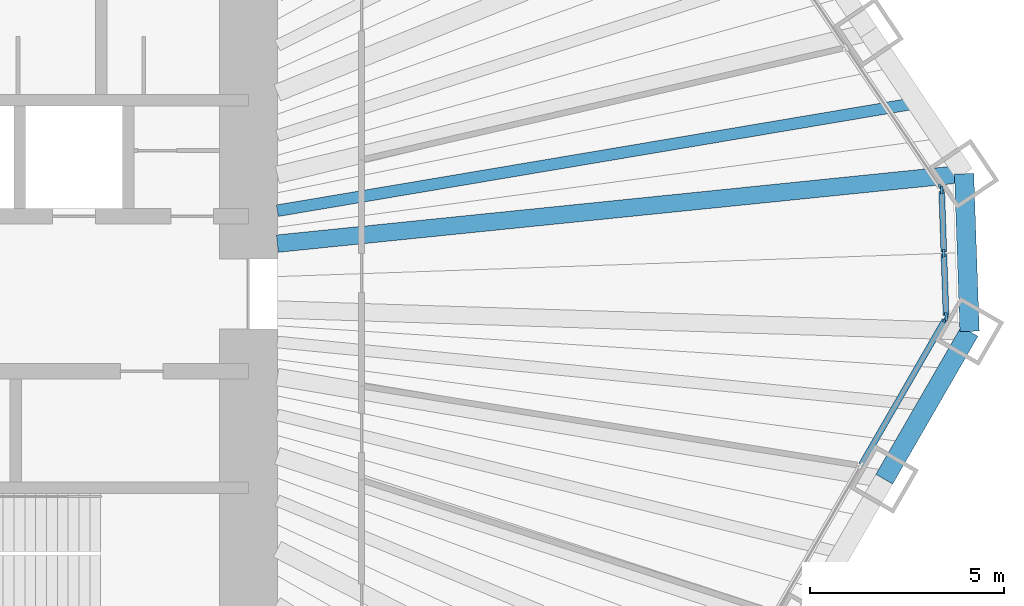
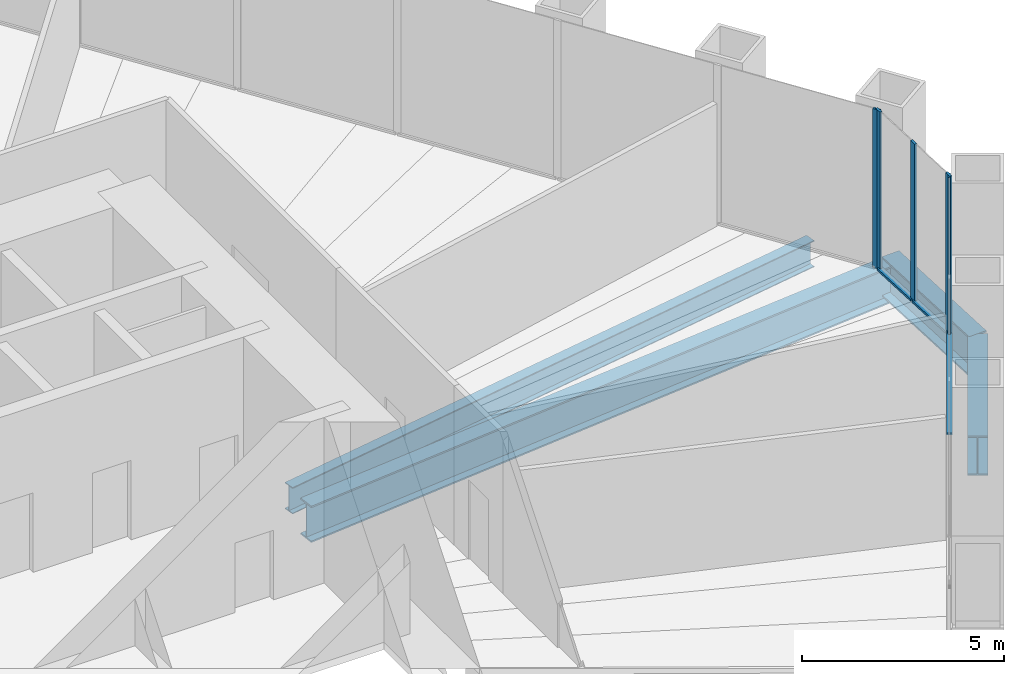
# One storey, part 5 of 13: 8 members, 4 beams, 3 elements without a shape of their own.
"""IFC4 building model written with IfcOpenShell, lengths in metres."""

from ifc_helpers import new_model, si_unit, direction, frame, origin, origin_2d, place, context, subcontext, project, spatial, rectangle, i_section, extrude, material, material_profile, profile_set, type_object, element, aggregate, save


model = new_model("IFC4")

# Units and contexts
model_context = context("Model", 3, precision=1e-05, world=origin(), true_north=direction((0.0, 1.0)))
body_context = subcontext(model_context, "Body", "Model", "MODEL_VIEW")
ifc_project = project(units=[si_unit("LENGTHUNIT", "METRE"), si_unit("AREAUNIT", "SQUARE_METRE"), si_unit("VOLUMEUNIT", "CUBIC_METRE"), si_unit("PLANEANGLEUNIT", "RADIAN"), si_unit("MASSUNIT", "GRAM", prefix="KILO")], contexts=[model_context])

# Site, building, storey
site_placement = place(None, origin())
site = spatial("IfcSite", under=ifc_project, at=site_placement, CompositionType="ELEMENT")
building_placement = place(site_placement, origin())
building = spatial("IfcBuilding", under=site, at=building_placement, Name="Qingtian Harvest Tower", CompositionType="ELEMENT")
storey_placement = place(building_placement, frame((0.0, 0.0, 22.0)))
storey = spatial("IfcBuildingStorey", under=building, at=storey_placement, Name="L04", CompositionType="ELEMENT", Elevation=22.0)

# Beams
ifc_material_1 = material(Name="Steel SM570MC", Category="steel")
ifc_material_profile_1 = material_profile(ifc_material_1, i_section(OverallWidth=0.449951171875, OverallDepth=1.10009765625, WebThickness=0.02197265625, FlangeThickness=0.044921875, at=origin_2d()), Name="H1100x450x22x45")
ifc_profile_set_1 = profile_set([ifc_material_profile_1], Name="Steel SM570MC")
beam_type_1 = type_object("IfcBeamType", Name="Corner floor beam FB8 H1100x450x22x45", PredefinedType="BEAM", material=ifc_profile_set_1)
beam_1_placement = place(storey_placement, frame((30.476318359375, 3.100830078125, -0.75), z_axis=(-0.994864371567, -0.101217005423, 0.0), x_axis=(0.101217005423, -0.994864371567, 0.0)))
element("IfcBeam", 1, at=beam_1_placement, inside=storey, type_object=beam_type_1, Name="Floor beam FB8 NE6", PredefinedType="BEAM", context=body_context, shape_type="SweptSolid", body=[
    extrude(i_section(OverallWidth=0.449951171875, OverallDepth=1.10009765625, WebThickness=0.02197265625, FlangeThickness=0.044921875, at=origin_2d()), origin(), (0.0, 0.0, 1.0), 17.81787109375),
])
ifc_material_2 = material(Name="Steel SN490B", Category="steel")
ifc_material_profile_2 = material_profile(ifc_material_2, i_section(OverallWidth=0.300048828125, OverallDepth=0.800048828125, WebThickness=0.013916015625, FlangeThickness=0.02587890625, at=origin_2d()), Name="H800x300x14x26")
ifc_profile_set_2 = profile_set([ifc_material_profile_2], Name="Steel SN490B")
beam_type_2 = type_object("IfcBeamType", Name="Floor joist J1 H800x300x14x26", PredefinedType="JOIST", material=ifc_profile_set_2)
beam_2_placement = place(storey_placement, frame((29.244873046875, 4.926513671875, -0.60009765625), z_axis=(-0.986107238024, -0.166109948877, 0.0), x_axis=(0.166109948877, -0.986107238024, 0.0)))
element("IfcBeam", 2, at=beam_2_placement, inside=storey, type_object=beam_type_2, Name="Floor joist J1 NE5", PredefinedType="JOIST", context=body_context, shape_type="SweptSolid", body=[
    extrude(i_section(OverallWidth=0.300048828125, OverallDepth=0.800048828125, WebThickness=0.013916015625, FlangeThickness=0.02587890625, at=origin_2d()), origin(), (0.0, 0.0, 1.0), 16.727294921875),
])

# Curtain wall, member
ifc_material_3 = material(Name="Bronze-anodised aluminium curtain wall", Category="aluminium")
curtain_wall_type = type_object("IfcCurtainWallType", Name="Curtain wall CW2 farm reception", PredefinedType="USERDEFINED", material=ifc_material_3)
curtain_wall_1_placement = place(storey_placement, origin())
curtain_wall_1 = element("IfcCurtainWall", 3, at=curtain_wall_1_placement, inside=storey, type_object=curtain_wall_type, Name="Curtain wall CW2 L04 NE0-5", ObjectType="RECESSED CURTAIN WALL", PredefinedType="USERDEFINED")
ifc_material_4 = material(Name="Bronze-anodised aluminium mullion", Category="aluminium")
ifc_material_profile_3 = material_profile(ifc_material_4, rectangle(XDim=0.06494140625, YDim=0.199951171875, at=origin_2d()), Name="AL 65x200")
ifc_profile_set_3 = profile_set([ifc_material_profile_3], Name="Bronze-anodised aluminium mullion")
member_type_1 = type_object("IfcMemberType", Name="Mullion CWM 65x200", PredefinedType="MULLION", material=ifc_profile_set_3)
member_1_placement = place(storey_placement, frame((29.8779296875, 2.736328125, 0.0), z_axis=(0.0, 0.0, 1.0), x_axis=(0.829037572555, 0.559192903471, 0.0)))
member_1 = element("IfcMember", 4, at=member_1_placement, type_object=member_type_1, Name="CW2 mullion 7", PredefinedType="MULLION", context=body_context, shape_type="SweptSolid", body=[
    extrude(rectangle(XDim=0.06494140625, YDim=0.199951171875, at=origin_2d()), origin(), (0.0, 0.0, 1.0), 4.800048828125),
])
aggregate(curtain_wall_1, [member_1])

# Curtain wall, members
curtain_wall_2_placement = place(storey_placement, origin())
curtain_wall_2 = element("IfcCurtainWall", 5, at=curtain_wall_2_placement, inside=storey, type_object=curtain_wall_type, Name="Curtain wall CW2 L04 NEC", ObjectType="RECESSED CURTAIN WALL", PredefinedType="USERDEFINED")
member_2_placement = place(storey_placement, frame((29.897216796875, 2.677001953125, 0.0), z_axis=(0.0, 0.0, 1.0), x_axis=(0.999390827019, 0.034899496703, 0.0)))
member_2 = element("IfcMember", 6, at=member_2_placement, type_object=member_type_1, Name="CW2 mullion 1", PredefinedType="MULLION", context=body_context, shape_type="SweptSolid", body=[
    extrude(rectangle(XDim=0.06494140625, YDim=0.199951171875, at=origin_2d()), origin(), (0.0, 0.0, 1.0), 4.800048828125),
])
member_3_placement = place(storey_placement, frame((29.9541015625, 1.046142578125, 0.0), z_axis=(0.0, 0.0, 1.0), x_axis=(0.999390827019, 0.034899496703, 0.0)))
member_3 = element("IfcMember", 7, at=member_3_placement, type_object=member_type_1, Name="CW2 mullion 2", PredefinedType="MULLION", context=body_context, shape_type="SweptSolid", body=[
    extrude(rectangle(XDim=0.06494140625, YDim=0.199951171875, at=origin_2d()), origin(), (0.0, 0.0, 1.0), 4.800048828125),
])
member_4_placement = place(storey_placement, frame((30.010986328125, -0.5849609375, 0.0), z_axis=(0.0, 0.0, 1.0), x_axis=(0.999390827019, 0.034899496703, 0.0)))
member_4 = element("IfcMember", 8, at=member_4_placement, type_object=member_type_1, Name="CW2 mullion 3", PredefinedType="MULLION", context=body_context, shape_type="SweptSolid", body=[
    extrude(rectangle(XDim=0.06494140625, YDim=0.199951171875, at=origin_2d()), origin(), (0.0, 0.0, 1.0), 4.800048828125),
])

# Curtain wall, member
curtain_wall_3_placement = place(storey_placement, origin())
curtain_wall_3 = element("IfcCurtainWall", 9, at=curtain_wall_3_placement, inside=storey, type_object=curtain_wall_type, Name="Curtain wall CW2 L04 SE0-5", ObjectType="RECESSED CURTAIN WALL", PredefinedType="USERDEFINED")
member_5_placement = place(storey_placement, frame((29.995849609375, -0.6455078125, 0.0), z_axis=(0.0, 0.0, 1.0), x_axis=(0.866025403784, -0.5, 0.0)))
member_5 = element("IfcMember", 10, at=member_5_placement, type_object=member_type_1, Name="CW2 mullion 1", PredefinedType="MULLION", context=body_context, shape_type="SweptSolid", body=[
    extrude(rectangle(XDim=0.06494140625, YDim=0.199951171875, at=origin_2d()), origin(), (0.0, 0.0, 1.0), 4.800048828125),
])

# Beams
ifc_material_5 = material(Name="Steel SM570MC", Category="steel")
ifc_material_profile_4 = material_profile(ifc_material_5, i_section(OverallWidth=0.5, OverallDepth=1.199951171875, WebThickness=0.02490234375, FlangeThickness=0.050048828125, at=origin_2d()), Name="H1200x500x25x50")
ifc_profile_set_4 = profile_set([ifc_material_profile_4], Name="Steel SM570MC")
beam_type_3 = type_object("IfcBeamType", Name="Spandrel beam SB1 H1200x500x25x50", PredefinedType="SPANDREL", material=ifc_profile_set_4)
beam_3_placement = place(storey_placement, frame((30.476318359375, 3.100830078125, -0.60009765625), z_axis=(0.03490639867, -0.999390585973, 0.0), x_axis=(0.999390585973, 0.03490639867, 0.0)))
element("IfcBeam", 11, at=beam_3_placement, inside=storey, type_object=beam_type_3, Name="Spandrel SB1 NEC", PredefinedType="SPANDREL", context=body_context, shape_type="SweptSolid", body=[
    extrude(i_section(OverallWidth=0.5, OverallDepth=1.199951171875, WebThickness=0.02490234375, FlangeThickness=0.050048828125, at=origin_2d()), origin(), (0.0, 0.0, 1.0), 4.070556640625),
])
beam_4_placement = place(storey_placement, frame((30.618408203125, -0.96728515625, -0.60009765625), z_axis=(-0.50001992892, -0.866013897511, 0.0), x_axis=(0.866013897511, -0.50001992892, 0.0)))
element("IfcBeam", 12, at=beam_4_placement, inside=storey, type_object=beam_type_3, Name="Spandrel SB1 SE0", PredefinedType="SPANDREL", context=body_context, shape_type="SweptSolid", body=[
    extrude(i_section(OverallWidth=0.5, OverallDepth=1.199951171875, WebThickness=0.02490234375, FlangeThickness=0.050048828125, at=origin_2d()), origin(), (0.0, 0.0, 1.0), 4.404541015625),
])

# Member
ifc_material_6 = material(Name="Bronze-anodised aluminium transom", Category="aluminium")
ifc_material_profile_5 = material_profile(ifc_material_6, rectangle(XDim=0.14990234375, YDim=0.06494140625, at=origin_2d()), Name="AL 65x150")
ifc_profile_set_5 = profile_set([ifc_material_profile_5], Name="Bronze-anodised aluminium transom")
member_type_2 = type_object("IfcMemberType", Name="Transom CWT 65x150", PredefinedType="USERDEFINED", material=ifc_profile_set_5)
member_6_placement = place(storey_placement, frame((29.898193359375, 2.64453125, 0.032470703125), z_axis=(0.034902326647, -0.999390728191, 0.0), x_axis=(0.999390728191, 0.034902326647, 0.0)))
member_6 = element("IfcMember", 13, at=member_6_placement, type_object=member_type_2, Name="CW2 transom 1.1", ObjectType="TRANSOM", PredefinedType="USERDEFINED", context=body_context, shape_type="SweptSolid", body=[
    extrude(rectangle(XDim=0.14990234375, YDim=0.06494140625, at=origin_2d()), origin(), (0.0, 0.0, 1.0), 1.56689453125),
])

member_7_placement = place(storey_placement, frame((29.955322265625, 1.013427734375, 0.032470703125), z_axis=(0.034902326647, -0.999390728191, 0.0), x_axis=(0.999390728191, 0.034902326647, 0.0)))
member_7 = element("IfcMember", 14, at=member_7_placement, type_object=member_type_2, Name="CW2 transom 2.1", ObjectType="TRANSOM", PredefinedType="USERDEFINED", context=body_context, shape_type="SweptSolid", body=[
    extrude(rectangle(XDim=0.14990234375, YDim=0.06494140625, at=origin_2d()), origin(), (0.0, 0.0, 1.0), 1.56689453125),
])

aggregate(curtain_wall_2, [member_2, member_3, member_4, member_6, member_7])

member_8_placement = place(storey_placement, frame((29.979736328125, -0.673583984375, 0.032470703125), z_axis=(-0.499985768833, -0.866033619997, 0.0), x_axis=(0.866033619997, -0.499985768833, 0.0)))
member_8 = element("IfcMember", 15, at=member_8_placement, type_object=member_type_2, Name="CW2 transom 1.1", ObjectType="TRANSOM", PredefinedType="USERDEFINED", context=body_context, shape_type="SweptSolid", body=[
    extrude(rectangle(XDim=0.14990234375, YDim=0.06494140625, at=origin_2d()), origin(), (0.0, 0.0, 1.0), 4.307373046875),
])

aggregate(curtain_wall_3, [member_5, member_8])

save(model, "model.ifc")
